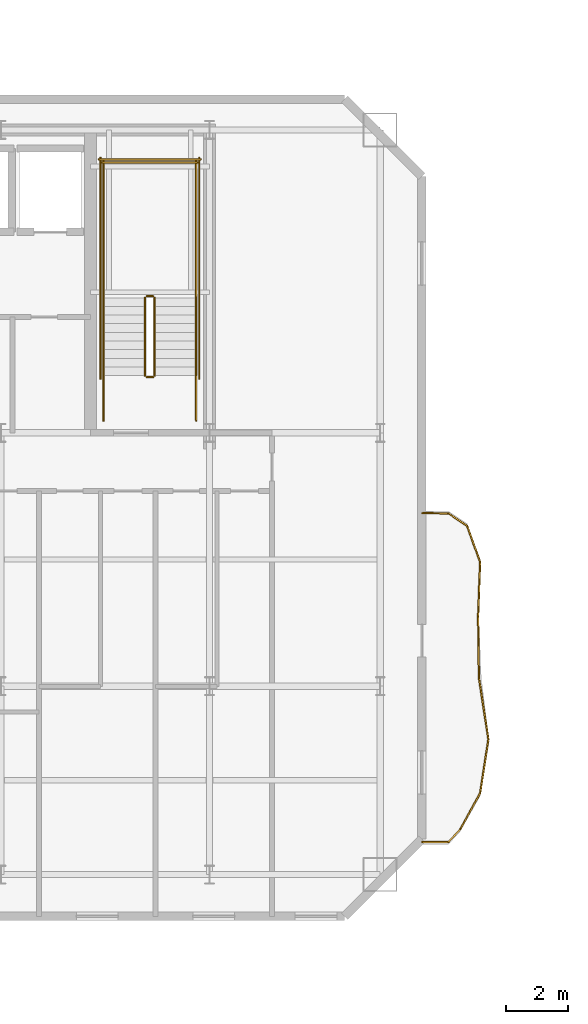
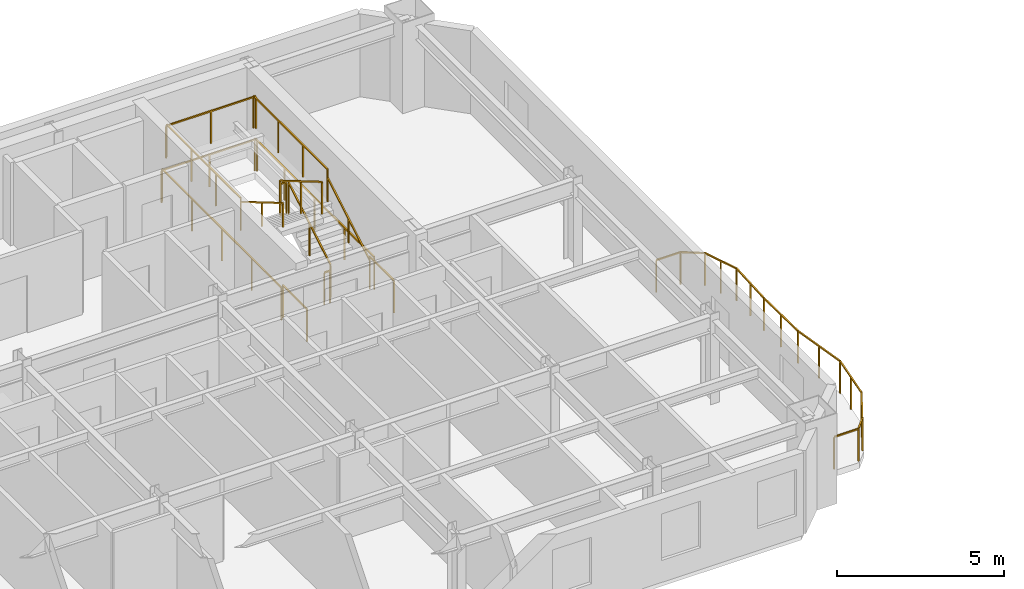
# One storey, part 12 of 14: 24 railings.
"""IFC4 building model written with IfcOpenShell, lengths in metres."""

from ifc_helpers import new_model, si_unit, direction, frame, origin, origin_2d, place, context, subcontext, project, spatial, rectangle, extrude, material, type_object, element, save


model = new_model("IFC4")

# Units and contexts
model_context = context("Model", 3, precision=1e-05, world=origin(), true_north=direction((0.0, 1.0)))
body_context = subcontext(model_context, "Body", "Model", "MODEL_VIEW")
ifc_project = project(units=[si_unit("LENGTHUNIT", "METRE"), si_unit("AREAUNIT", "SQUARE_METRE"), si_unit("VOLUMEUNIT", "CUBIC_METRE"), si_unit("PLANEANGLEUNIT", "RADIAN"), si_unit("MASSUNIT", "GRAM", prefix="KILO")], contexts=[model_context])

# Site, building, storey
site_placement = place(None, origin())
site = spatial("IfcSite", under=ifc_project, at=site_placement, CompositionType="ELEMENT")
building_placement = place(site_placement, origin())
building = spatial("IfcBuilding", under=site, at=building_placement, Name="Haevon Station Towers", CompositionType="ELEMENT")
storey_placement = place(building_placement, frame((0.0, 0.0, 208.800048828125)))
storey = spatial("IfcBuildingStorey", under=building, at=storey_placement, Name="L57", CompositionType="ELEMENT", Elevation=208.800048828125)

# Railings
ifc_material = material(Name="Steel S355", Category="steel")
railing_type_1 = type_object("IfcRailingType", Name="GRD-EXT1200", PredefinedType="GUARDRAIL", material=ifc_material)
railing_1_placement = place(storey_placement, frame((57.8984375, 24.952880859375, 0.0)))
element("IfcRailing", 1, at=railing_1_placement, inside=storey, type_object=railing_type_1, Name="L57 Perimeter Guardrail 1", PredefinedType="GUARDRAIL", context=body_context, shape_type="SweptSolid", body=[
    extrude(rectangle(XDim=0.048095703125, YDim=0.048095703125, at=origin_2d()), frame((0.0, 0.0, 1.17578125), z_axis=(0.999997283225, 0.002330995998, 0.0), x_axis=(-0.002330995998, 0.999997283225, 0.0)), (0.0, 0.0, 1.0), 0.837890625),
    extrude(rectangle(XDim=0.0419921875, YDim=0.0419921875, at=origin_2d()), origin(), (0.0, 0.0, 1.0), 1.15185546875),
    extrude(rectangle(XDim=0.0419921875, YDim=0.0419921875, at=origin_2d()), frame((0.837890625, 0.001953125, 0.0)), (0.0, 0.0, 1.0), 1.15185546875),
])
railing_2_placement = place(storey_placement, frame((58.736328125, 24.954833984375, 0.0)))
element("IfcRailing", 2, at=railing_2_placement, inside=storey, type_object=railing_type_1, Name="L57 Perimeter Guardrail 2", PredefinedType="GUARDRAIL", context=body_context, shape_type="SweptSolid", body=[
    extrude(rectangle(XDim=0.048095703125, YDim=0.048095703125, at=origin_2d()), frame((0.0, 0.0, 1.17578125), z_axis=(0.676279075559, 0.736645513093, 0.0), x_axis=(-0.736645513093, 0.676279075559, 0.0)), (0.0, 0.0, 1.0), 0.55810546875),
    extrude(rectangle(XDim=0.0419921875, YDim=0.0419921875, at=origin_2d()), origin(), (0.0, 0.0, 1.0), 1.15185546875),
    extrude(rectangle(XDim=0.0419921875, YDim=0.0419921875, at=origin_2d()), frame((0.37744140625, 0.4111328125, 0.0)), (0.0, 0.0, 1.0), 1.15185546875),
])
railing_3_placement = place(storey_placement, frame((59.11376953125, 25.365966796875, 0.0)))
element("IfcRailing", 3, at=railing_3_placement, inside=storey, type_object=railing_type_1, Name="L57 Perimeter Guardrail 3", PredefinedType="GUARDRAIL", context=body_context, shape_type="SweptSolid", body=[
    extrude(rectangle(XDim=0.048095703125, YDim=0.048095703125, at=origin_2d()), frame((0.0, 0.0, 1.17578125), z_axis=(0.483314021396, 0.875447061062, 0.0), x_axis=(-0.875447061062, 0.483314021396, 0.0)), (0.0, 0.0, 1.0), 1.336181640625),
    extrude(rectangle(XDim=0.0419921875, YDim=0.0419921875, at=origin_2d()), origin(), (0.0, 0.0, 1.0), 1.15185546875),
    extrude(rectangle(XDim=0.0419921875, YDim=0.0419921875, at=origin_2d()), frame((0.32275390625, 0.5849609375, 0.0)), (0.0, 0.0, 1.0), 1.15185546875),
    extrude(rectangle(XDim=0.0419921875, YDim=0.0419921875, at=origin_2d()), frame((0.645751953125, 1.169677734375, 0.0)), (0.0, 0.0, 1.0), 1.15185546875),
])
railing_4_placement = place(storey_placement, frame((59.759521484375, 26.53564453125, 0.0)))
element("IfcRailing", 4, at=railing_4_placement, inside=storey, type_object=railing_type_1, Name="L57 Perimeter Guardrail 4", PredefinedType="GUARDRAIL", context=body_context, shape_type="SweptSolid", body=[
    extrude(rectangle(XDim=0.048095703125, YDim=0.048095703125, at=origin_2d()), frame((0.0, 0.0, 1.17578125), z_axis=(0.151454876704, 0.988464172503, 0.0), x_axis=(-0.988464172503, 0.151454876704, 0.0)), (0.0, 0.0, 1.0), 1.7666015625),
    extrude(rectangle(XDim=0.0419921875, YDim=0.0419921875, at=origin_2d()), origin(), (0.0, 0.0, 1.0), 1.15185546875),
    extrude(rectangle(XDim=0.0419921875, YDim=0.0419921875, at=origin_2d()), frame((0.1337890625, 0.873046875, 0.0)), (0.0, 0.0, 1.0), 1.15185546875),
    extrude(rectangle(XDim=0.0419921875, YDim=0.0419921875, at=origin_2d()), frame((0.267578125, 1.746337890625, 0.0)), (0.0, 0.0, 1.0), 1.15185546875),
])
railing_5_placement = place(storey_placement, frame((60.027099609375, 28.281982421875, 0.0)))
element("IfcRailing", 5, at=railing_5_placement, inside=storey, type_object=railing_type_1, Name="L57 Perimeter Guardrail 5", PredefinedType="GUARDRAIL", context=body_context, shape_type="SweptSolid", body=[
    extrude(rectangle(XDim=0.048095703125, YDim=0.048095703125, at=origin_2d()), frame((0.0, 0.0, 1.17578125), z_axis=(-0.152075381091, 0.988368897966, 0.0), x_axis=(-0.988368897966, -0.152075381091, 0.0)), (0.0, 0.0, 1.0), 2.016357421875),
    extrude(rectangle(XDim=0.0419921875, YDim=0.0419921875, at=origin_2d()), origin(), (0.0, 0.0, 1.0), 1.15185546875),
    extrude(rectangle(XDim=0.0419921875, YDim=0.0419921875, at=origin_2d()), frame((-0.1533203125, 0.99658203125, 0.0)), (0.0, 0.0, 1.0), 1.15185546875),
    extrude(rectangle(XDim=0.0419921875, YDim=0.0419921875, at=origin_2d()), frame((-0.306640625, 1.992919921875, 0.0)), (0.0, 0.0, 1.0), 1.15185546875),
])
railing_6_placement = place(storey_placement, frame((59.720458984375, 30.27490234375, 0.0)))
element("IfcRailing", 6, at=railing_6_placement, inside=storey, type_object=railing_type_1, Name="L57 Perimeter Guardrail 6", PredefinedType="GUARDRAIL", context=body_context, shape_type="SweptSolid", body=[
    extrude(rectangle(XDim=0.048095703125, YDim=0.048095703125, at=origin_2d()), frame((0.0, 0.0, 1.17578125), z_axis=(-0.01276282884, 0.999918551783, 0.0), x_axis=(-0.999918551783, -0.01276282884, 0.0)), (0.0, 0.0, 1.0), 1.989501953125),
    extrude(rectangle(XDim=0.0419921875, YDim=0.0419921875, at=origin_2d()), origin(), (0.0, 0.0, 1.0), 1.15185546875),
    extrude(rectangle(XDim=0.0419921875, YDim=0.0419921875, at=origin_2d()), frame((-0.0126953125, 0.99462890625, 0.0)), (0.0, 0.0, 1.0), 1.15185546875),
    extrude(rectangle(XDim=0.0419921875, YDim=0.0419921875, at=origin_2d()), frame((-0.025390625, 1.9892578125, 0.0)), (0.0, 0.0, 1.0), 1.15185546875),
])
railing_7_placement = place(storey_placement, frame((59.695068359375, 32.26416015625, 0.0)))
element("IfcRailing", 7, at=railing_7_placement, inside=storey, type_object=railing_type_1, Name="L57 Perimeter Guardrail 7", PredefinedType="GUARDRAIL", context=body_context, shape_type="SweptSolid", body=[
    extrude(rectangle(XDim=0.048095703125, YDim=0.048095703125, at=origin_2d()), frame((0.0, 0.0, 1.17578125), z_axis=(0.036800275781, 0.999322640443, 0.0), x_axis=(-0.999322640443, 0.036800275781, 0.0)), (0.0, 0.0, 1.0), 1.75146484375),
    extrude(rectangle(XDim=0.0419921875, YDim=0.0419921875, at=origin_2d()), origin(), (0.0, 0.0, 1.0), 1.15185546875),
    extrude(rectangle(XDim=0.0419921875, YDim=0.0419921875, at=origin_2d()), frame((0.0322265625, 0.875, 0.0)), (0.0, 0.0, 1.0), 1.15185546875),
    extrude(rectangle(XDim=0.0419921875, YDim=0.0419921875, at=origin_2d()), frame((0.064453125, 1.750244140625, 0.0)), (0.0, 0.0, 1.0), 1.15185546875),
])
railing_8_placement = place(storey_placement, frame((59.759521484375, 34.014404296875, 0.0)))
element("IfcRailing", 8, at=railing_8_placement, inside=storey, type_object=railing_type_1, Name="L57 Perimeter Guardrail 8", PredefinedType="GUARDRAIL", context=body_context, shape_type="SweptSolid", body=[
    extrude(rectangle(XDim=0.048095703125, YDim=0.048095703125, at=origin_2d()), frame((0.0, 0.0, 1.17578125), z_axis=(-0.337369310721, 0.941372374878, 0.0), x_axis=(-0.941372374878, -0.337369310721, 0.0)), (0.0, 0.0, 1.0), 1.242431640625),
    extrude(rectangle(XDim=0.0419921875, YDim=0.0419921875, at=origin_2d()), origin(), (0.0, 0.0, 1.0), 1.15185546875),
    extrude(rectangle(XDim=0.0419921875, YDim=0.0419921875, at=origin_2d()), frame((-0.20947265625, 0.5849609375, 0.0)), (0.0, 0.0, 1.0), 1.15185546875),
    extrude(rectangle(XDim=0.0419921875, YDim=0.0419921875, at=origin_2d()), frame((-0.419189453125, 1.169677734375, 0.0)), (0.0, 0.0, 1.0), 1.15185546875),
])
railing_9_placement = place(storey_placement, frame((59.34033203125, 35.18408203125, 0.0)))
element("IfcRailing", 9, at=railing_9_placement, inside=storey, type_object=railing_type_1, Name="L57 Perimeter Guardrail 9", PredefinedType="GUARDRAIL", context=body_context, shape_type="SweptSolid", body=[
    extrude(rectangle(XDim=0.048095703125, YDim=0.048095703125, at=origin_2d()), frame((0.0, 0.0, 1.17578125), z_axis=(-0.826665387993, 0.562693821091, 0.0), x_axis=(-0.562693821091, -0.826665387993, 0.0)), (0.0, 0.0, 1.0), 0.730712890625),
    extrude(rectangle(XDim=0.0419921875, YDim=0.0419921875, at=origin_2d()), origin(), (0.0, 0.0, 1.0), 1.15185546875),
    extrude(rectangle(XDim=0.0419921875, YDim=0.0419921875, at=origin_2d()), frame((-0.60400390625, 0.4111328125, 0.0)), (0.0, 0.0, 1.0), 1.15185546875),
])
railing_10_placement = place(storey_placement, frame((58.736328125, 35.59521484375, 0.0)))
element("IfcRailing", 10, at=railing_10_placement, inside=storey, type_object=railing_type_1, Name="L57 Perimeter Guardrail 10", PredefinedType="GUARDRAIL", context=body_context, shape_type="SweptSolid", body=[
    extrude(rectangle(XDim=0.048095703125, YDim=0.048095703125, at=origin_2d()), frame((0.0, 0.0, 1.17578125), z_axis=(-0.999997283225, 0.002330995998, 0.0), x_axis=(-0.002330995998, -0.999997283225, 0.0)), (0.0, 0.0, 1.0), 0.837890625),
    extrude(rectangle(XDim=0.0419921875, YDim=0.0419921875, at=origin_2d()), origin(), (0.0, 0.0, 1.0), 1.15185546875),
    extrude(rectangle(XDim=0.0419921875, YDim=0.0419921875, at=origin_2d()), frame((-0.837890625, 0.001953125, 0.0)), (0.0, 0.0, 1.0), 1.15185546875),
])
railing_type_2 = type_object("IfcRailingType", Name="GRD-STR1200", PredefinedType="GUARDRAIL", material=ifc_material)
railing_11_placement = place(storey_placement, frame((49.219970703125, 40.050048828125, 0.1650390625)))
element("IfcRailing", 11, at=railing_11_placement, inside=storey, type_object=railing_type_2, Name="L57 ST2 Stair Guard 1", PredefinedType="GUARDRAIL", context=body_context, shape_type="SweptSolid", body=[
    extrude(rectangle(XDim=0.048095703125, YDim=0.048095703125, at=origin_2d()), frame((0.0, 0.0, 1.17578125), z_axis=(0.0, 0.861560626758, 0.507654692109), x_axis=(-1.0, 0.0, 0.0)), (0.0, 0.0, 1.0), 2.925048828125),
    extrude(rectangle(XDim=0.0419921875, YDim=0.0419921875, at=origin_2d()), origin(), (0.0, 0.0, 1.0), 1.15185546875),
    extrude(rectangle(XDim=0.0419921875, YDim=0.0419921875, at=origin_2d()), frame((0.0, 1.260009765625, 0.742431640625)), (0.0, 0.0, 1.0), 1.15185546875),
    extrude(rectangle(XDim=0.0419921875, YDim=0.0419921875, at=origin_2d()), frame((0.0, 2.52001953125, 1.48486328125)), (0.0, 0.0, 1.0), 1.15185546875),
])
railing_12_placement = place(storey_placement, frame((49.169921875, 42.6201171875, 1.64990234375)))
element("IfcRailing", 12, at=railing_12_placement, inside=storey, type_object=railing_type_2, Name="L57 ST2 Stair Guard 2", PredefinedType="GUARDRAIL", context=body_context, shape_type="SweptSolid", body=[
    extrude(rectangle(XDim=0.048095703125, YDim=0.048095703125, at=origin_2d()), frame((0.0, 0.0, 1.17578125), z_axis=(-1.0, 0.0, 0.0), x_axis=(0.0, -1.0, 0.0)), (0.0, 0.0, 1.0), 0.199951171875),
    extrude(rectangle(XDim=0.0419921875, YDim=0.0419921875, at=origin_2d()), origin(), (0.0, 0.0, 1.0), 1.15185546875),
    extrude(rectangle(XDim=0.0419921875, YDim=0.0419921875, at=origin_2d()), frame((-0.199951171875, 0.0, 0.0)), (0.0, 0.0, 1.0), 1.15185546875),
])
for number, where, name in (
    (13, (50.570068359375, 42.570068359375, 1.64990234375), "L57 ST2 Stair Guard 3"),
    (14, (47.570068359375, 42.570068359375, 1.64990234375), "L57 ST2 Stair Guard 4"),
):
    element("IfcRailing", number, at=place(storey_placement, frame(where)), inside=storey, type_object=railing_type_2, Name=name, PredefinedType="GUARDRAIL", context=body_context, shape_type="SweptSolid", body=[
        extrude(rectangle(XDim=0.048095703125, YDim=0.048095703125, at=origin_2d()), frame((0.0, 0.0, 1.17578125), z_axis=(0.0, 1.0, 0.0), x_axis=(-1.0, 0.0, 0.0)), (0.0, 0.0, 1.0), 4.429931640625),
        extrude(rectangle(XDim=0.0419921875, YDim=0.0419921875, at=origin_2d()), origin(), (0.0, 0.0, 1.0), 1.15185546875),
        extrude(rectangle(XDim=0.0419921875, YDim=0.0419921875, at=origin_2d()), frame((0.0, 1.4765625, 0.0)), (0.0, 0.0, 1.0), 1.15185546875),
        extrude(rectangle(XDim=0.0419921875, YDim=0.0419921875, at=origin_2d()), frame((0.0, 2.953369140625, 0.0)), (0.0, 0.0, 1.0), 1.15185546875),
        extrude(rectangle(XDim=0.0419921875, YDim=0.0419921875, at=origin_2d()), frame((0.0, 4.429931640625, 0.0)), (0.0, 0.0, 1.0), 1.15185546875),
    ])
railing_13_placement = place(storey_placement, frame((50.6201171875, 46.949951171875, 1.64990234375)))
element("IfcRailing", 15, at=railing_13_placement, inside=storey, type_object=railing_type_2, Name="L57 ST2 Stair Guard 5", PredefinedType="GUARDRAIL", context=body_context, shape_type="SweptSolid", body=[
    extrude(rectangle(XDim=0.048095703125, YDim=0.048095703125, at=origin_2d()), frame((0.0, 0.0, 1.17578125), z_axis=(-1.0, 0.0, 0.0), x_axis=(0.0, -1.0, 0.0)), (0.0, 0.0, 1.0), 3.10009765625),
    extrude(rectangle(XDim=0.0419921875, YDim=0.0419921875, at=origin_2d()), origin(), (0.0, 0.0, 1.0), 1.15185546875),
    extrude(rectangle(XDim=0.0419921875, YDim=0.0419921875, at=origin_2d()), frame((-1.550048828125, 0.0, 0.0)), (0.0, 0.0, 1.0), 1.15185546875),
    extrude(rectangle(XDim=0.0419921875, YDim=0.0419921875, at=origin_2d()), frame((-3.10009765625, 0.0, 0.0)), (0.0, 0.0, 1.0), 1.15185546875),
])
railing_14_placement = place(storey_placement, frame((48.919921875, 42.570068359375, 1.81494140625)))
element("IfcRailing", 16, at=railing_14_placement, inside=storey, type_object=railing_type_2, Name="L57 ST2 Stair Guard 6", PredefinedType="GUARDRAIL", context=body_context, shape_type="SweptSolid", body=[
    extrude(rectangle(XDim=0.048095703125, YDim=0.048095703125, at=origin_2d()), frame((0.0, 0.0, 1.17578125), z_axis=(0.0, -0.86152411907, 0.507716645641), x_axis=(1.0, 0.0, 0.0)), (0.0, 0.0, 1.0), 2.925048828125),
    extrude(rectangle(XDim=0.0419921875, YDim=0.0419921875, at=origin_2d()), origin(), (0.0, 0.0, 1.0), 1.15185546875),
    extrude(rectangle(XDim=0.0419921875, YDim=0.0419921875, at=origin_2d()), frame((0.0, -1.260009765625, 0.74267578125)), (0.0, 0.0, 1.0), 1.15185546875),
    extrude(rectangle(XDim=0.0419921875, YDim=0.0419921875, at=origin_2d()), frame((0.0, -2.52001953125, 1.485107421875)), (0.0, 0.0, 1.0), 1.15185546875),
])
railing_15_placement = place(storey_placement, frame((49.169921875, 40.0, 0.0)))
element("IfcRailing", 17, at=railing_15_placement, inside=storey, type_object=railing_type_2, Name="L57 ST2 Stair Guard 7", PredefinedType="GUARDRAIL", context=body_context, shape_type="SweptSolid", body=[
    extrude(rectangle(XDim=0.048095703125, YDim=0.048095703125, at=origin_2d()), frame((0.0, 0.0, 1.17578125), z_axis=(-1.0, 0.0, 0.0), x_axis=(0.0, -1.0, 0.0)), (0.0, 0.0, 1.0), 0.199951171875),
    extrude(rectangle(XDim=0.0419921875, YDim=0.0419921875, at=origin_2d()), origin(), (0.0, 0.0, 1.0), 1.15185546875),
    extrude(rectangle(XDim=0.0419921875, YDim=0.0419921875, at=origin_2d()), frame((-0.199951171875, 0.0, 0.0)), (0.0, 0.0, 1.0), 1.15185546875),
])
for number, where, name in (
    (18, (50.570068359375, 38.60009765625, 0.0), "L57 ST2 Stair Guard 8"),
    (19, (47.570068359375, 38.60009765625, 0.0), "L57 ST2 Stair Guard 9"),
):
    element("IfcRailing", number, at=place(storey_placement, frame(where)), inside=storey, type_object=railing_type_2, Name=name, PredefinedType="GUARDRAIL", context=body_context, shape_type="SweptSolid", body=[
        extrude(rectangle(XDim=0.048095703125, YDim=0.048095703125, at=origin_2d()), frame((0.0, 0.0, 1.17578125), z_axis=(0.0, 1.0, 0.0), x_axis=(-1.0, 0.0, 0.0)), (0.0, 0.0, 1.0), 1.449951171875),
        extrude(rectangle(XDim=0.0419921875, YDim=0.0419921875, at=origin_2d()), origin(), (0.0, 0.0, 1.0), 1.15185546875),
        extrude(rectangle(XDim=0.0419921875, YDim=0.0419921875, at=origin_2d()), frame((0.0, 1.449951171875, 0.0)), (0.0, 0.0, 1.0), 1.15185546875),
    ])
for number, where, name in (
    (20, (50.669921875, 39.949951171875, 0.0), "L57 ST2 Stair Guard 10"),
    (21, (47.469970703125, 39.949951171875, 0.0), "L57 ST2 Stair Guard 11"),
):
    element("IfcRailing", number, at=place(storey_placement, frame(where)), inside=storey, type_object=railing_type_2, Name=name, PredefinedType="GUARDRAIL", context=body_context, shape_type="SweptSolid", body=[
        extrude(rectangle(XDim=0.048095703125, YDim=0.048095703125, at=origin_2d()), frame((0.0, 0.0, 1.17578125), z_axis=(0.0, 1.0, 0.0), x_axis=(-1.0, 0.0, 0.0)), (0.0, 0.0, 1.0), 7.150146484375),
        extrude(rectangle(XDim=0.0419921875, YDim=0.0419921875, at=origin_2d()), origin(), (0.0, 0.0, 1.0), 1.15185546875),
        extrude(rectangle(XDim=0.0419921875, YDim=0.0419921875, at=origin_2d()), frame((0.0, 1.78759765625, 0.0)), (0.0, 0.0, 1.0), 1.15185546875),
        extrude(rectangle(XDim=0.0419921875, YDim=0.0419921875, at=origin_2d()), frame((0.0, 3.5751953125, 0.0)), (0.0, 0.0, 1.0), 1.15185546875),
        extrude(rectangle(XDim=0.0419921875, YDim=0.0419921875, at=origin_2d()), frame((0.0, 5.362548828125, 0.0)), (0.0, 0.0, 1.0), 1.15185546875),
        extrude(rectangle(XDim=0.0419921875, YDim=0.0419921875, at=origin_2d()), frame((0.0, 7.150146484375, 0.0)), (0.0, 0.0, 1.0), 1.15185546875),
    ])
railing_16_placement = place(storey_placement, frame((50.719970703125, 47.050048828125, 0.0)))
element("IfcRailing", 22, at=railing_16_placement, inside=storey, type_object=railing_type_2, Name="L57 ST2 Stair Guard 12", PredefinedType="GUARDRAIL", context=body_context, shape_type="SweptSolid", body=[
    extrude(rectangle(XDim=0.048095703125, YDim=0.048095703125, at=origin_2d()), frame((0.0, 0.0, 1.17578125), z_axis=(-1.0, 0.0, 0.0), x_axis=(0.0, -1.0, 0.0)), (0.0, 0.0, 1.0), 3.300048828125),
    extrude(rectangle(XDim=0.0419921875, YDim=0.0419921875, at=origin_2d()), origin(), (0.0, 0.0, 1.0), 1.15185546875),
    extrude(rectangle(XDim=0.0419921875, YDim=0.0419921875, at=origin_2d()), frame((-1.64990234375, 0.0, 0.0)), (0.0, 0.0, 1.0), 1.15185546875),
    extrude(rectangle(XDim=0.0419921875, YDim=0.0419921875, at=origin_2d()), frame((-3.300048828125, 0.0, 0.0)), (0.0, 0.0, 1.0), 1.15185546875),
])
railing_type_3 = type_object("IfcRailingType", Name="HND-STR900", PredefinedType="HANDRAIL", material=ifc_material)
railing_17_placement = place(storey_placement, frame((50.570068359375, 40.050048828125, 0.1650390625)))
element("IfcRailing", 23, at=railing_17_placement, inside=storey, type_object=railing_type_3, Name="L57 ST2 Stair Handrail 1", PredefinedType="HANDRAIL", context=body_context, shape_type="SweptSolid", body=[
    extrude(rectangle(XDim=0.048095703125, YDim=0.048095703125, at=origin_2d()), frame((0.0, 0.0, 0.8759765625), z_axis=(0.0, 0.861560626758, 0.507654692109), x_axis=(-1.0, 0.0, 0.0)), (0.0, 0.0, 1.0), 2.925048828125),
    extrude(rectangle(XDim=0.0419921875, YDim=0.0419921875, at=origin_2d()), origin(), (0.0, 0.0, 1.0), 0.851806640625),
    extrude(rectangle(XDim=0.0419921875, YDim=0.0419921875, at=origin_2d()), frame((0.0, 1.260009765625, 0.742431640625)), (0.0, 0.0, 1.0), 0.851806640625),
    extrude(rectangle(XDim=0.0419921875, YDim=0.0419921875, at=origin_2d()), frame((0.0, 2.52001953125, 1.48486328125)), (0.0, 0.0, 1.0), 0.851806640625),
])
railing_18_placement = place(storey_placement, frame((47.570068359375, 42.570068359375, 1.81494140625)))
element("IfcRailing", 24, at=railing_18_placement, inside=storey, type_object=railing_type_3, Name="L57 ST2 Stair Handrail 2", PredefinedType="HANDRAIL", context=body_context, shape_type="SweptSolid", body=[
    extrude(rectangle(XDim=0.048095703125, YDim=0.048095703125, at=origin_2d()), frame((0.0, 0.0, 0.8759765625), z_axis=(0.0, -0.86152411907, 0.507716645641), x_axis=(1.0, 0.0, 0.0)), (0.0, 0.0, 1.0), 2.925048828125),
    extrude(rectangle(XDim=0.0419921875, YDim=0.0419921875, at=origin_2d()), origin(), (0.0, 0.0, 1.0), 0.851806640625),
    extrude(rectangle(XDim=0.0419921875, YDim=0.0419921875, at=origin_2d()), frame((0.0, -1.260009765625, 0.74267578125)), (0.0, 0.0, 1.0), 0.851806640625),
    extrude(rectangle(XDim=0.0419921875, YDim=0.0419921875, at=origin_2d()), frame((0.0, -2.52001953125, 1.485107421875)), (0.0, 0.0, 1.0), 0.851806640625),
])

save(model, "model.ifc")
